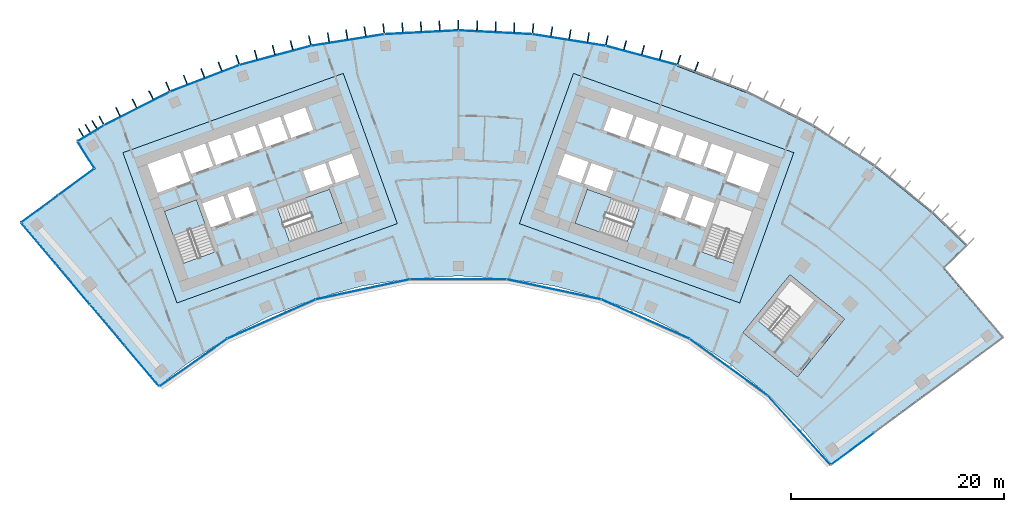
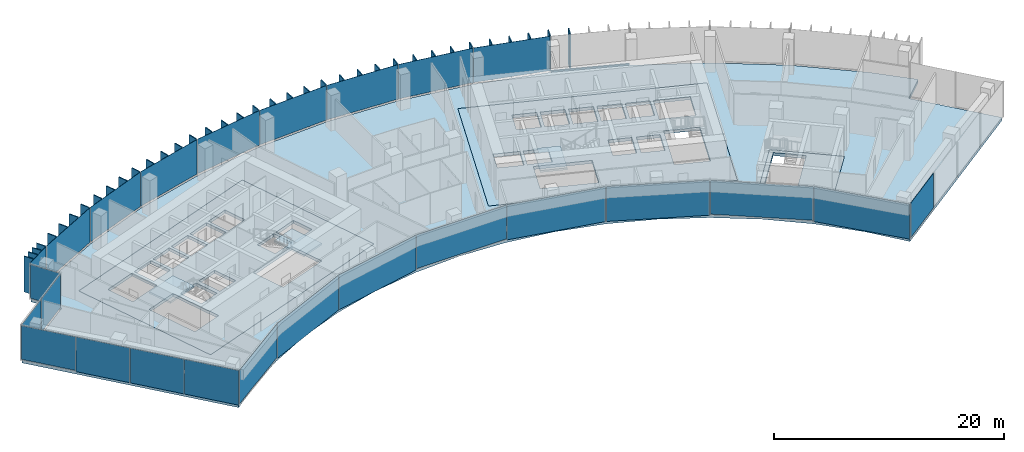
# One storey, part 10 of 19: 62 plates, 7 slabs, 1 member, 9 elements without a shape of their own.
"""IFC4 building model written with IfcOpenShell, lengths in metres."""

from ifc_helpers import new_model, si_unit, direction, frame, origin, origin_2d, place, context, subcontext, project, spatial, polyline, rectangle, outline, extrude, material, layer, layer_set, material_profile, profile_set, type_object, element, aggregate, save


model = new_model("IFC4")

# Units and contexts
model_context = context("Model", 3, precision=1e-05, world=origin(), true_north=direction((0.0, 1.0)))
body_context = subcontext(model_context, "Body", "Model", "MODEL_VIEW")
ifc_project = project(units=[si_unit("LENGTHUNIT", "METRE"), si_unit("AREAUNIT", "SQUARE_METRE"), si_unit("VOLUMEUNIT", "CUBIC_METRE"), si_unit("PLANEANGLEUNIT", "RADIAN"), si_unit("MASSUNIT", "GRAM", prefix="KILO")], contexts=[model_context])

# Site, building, storey
site_placement = place(None, origin())
site = spatial("IfcSite", under=ifc_project, at=site_placement, CompositionType="ELEMENT")
building_placement = place(site_placement, origin())
building = spatial("IfcBuilding", under=site, at=building_placement, Name="Stone Belt Terrace Tower", CompositionType="ELEMENT")
storey_placement = place(building_placement, frame((0.0, 0.0, 246.60009765625)))
storey = spatial("IfcBuildingStorey", under=building, at=storey_placement, Name="L60", CompositionType="ELEMENT", Elevation=246.60009765625)

# Curtain wall, member, plates
ifc_material_1 = material(Name="Aluminium 6063-T6 anodised frame", Category="aluminium")
ifc_layer_1 = layer(ifc_material_1, 0.14990234375)
ifc_layer_set_1 = layer_set([ifc_layer_1], Name="CW-A unitised convex-face curtain wall")
curtain_wall_type_1 = type_object("IfcCurtainWallType", Name="CW-A unitised convex-face curtain wall", PredefinedType="NOTDEFINED", material=ifc_layer_set_1)
curtain_wall_1_placement = place(storey_placement, origin())
curtain_wall_1 = element("IfcCurtainWall", 1, at=curtain_wall_1_placement, inside=storey, type_object=curtain_wall_type_1, Name="CW-A convex face L60", PredefinedType="NOTDEFINED")
ifc_material_profile = material_profile(ifc_material_1, rectangle(XDim=0.14990234375, YDim=0.139892578125, at=origin_2d()), Name="Aluminium 6063-T6 150x140")
ifc_profile_set = profile_set([ifc_material_profile], Name="Aluminium 6063-T6 anodised frame")
member_type = type_object("IfcMemberType", Name="CW-A transom 140 x 150", PredefinedType="USERDEFINED", material=ifc_profile_set)
member_placement = place(storey_placement, frame((27.046875, 60.83154296875, 0.06982421875), z_axis=(-0.933585210269, 0.358355487146, 0.0), x_axis=(-0.358355487146, -0.933585210269, 0.0)))
member = element("IfcMember", 2, at=member_placement, type_object=member_type, Name="CW-A transom 5.1", ObjectType="TRANSOM", PredefinedType="USERDEFINED", context=body_context, shape_type="SweptSolid", body=[
    extrude(rectangle(XDim=0.14990234375, YDim=0.139892578125, at=origin_2d()), origin(), (0.0, 0.0, 1.0), 6.900634765625),
])
ifc_material_2 = material(Name="Clear double glazed unit")
ifc_layer_2 = layer(ifc_material_2, 0.031982421875)
ifc_layer_set_2 = layer_set([ifc_layer_2], Name="CW-A glass panel 32")
plate_type_1 = type_object("IfcPlateType", Name="CW-A glass panel 32", PredefinedType="CURTAIN_PANEL", material=ifc_layer_set_2)
plate_1_placement = place(storey_placement, frame((17.207275390625, 64.218505859375, 0.14013671875), z_axis=(0.0, 0.0, 1.0), x_axis=(-0.965925826289, 0.258819045103, 0.0)))
plate_1 = element("IfcPlate", 3, at=plate_1_placement, type_object=plate_type_1, Name="CW-A panel 6.1", PredefinedType="CURTAIN_PANEL", context=body_context, shape_type="SweptSolid", body=[
    extrude(rectangle(XDim=6.90087890625, YDim=0.031982421875, at=origin_2d()), origin(), (0.0, 0.0, 1.0), 3.659912109375),
])
plate_2_placement = place(storey_placement, frame((10.400390625, 65.665283203125, 0.14013671875), z_axis=(0.0, 0.0, 1.0), x_axis=(-0.987688340595, 0.15643446504, 0.0)))
plate_2 = element("IfcPlate", 4, at=plate_2_placement, type_object=plate_type_1, Name="CW-A panel 7.1", PredefinedType="CURTAIN_PANEL", context=body_context, shape_type="SweptSolid", body=[
    extrude(rectangle(XDim=6.90087890625, YDim=0.031982421875, at=origin_2d()), origin(), (0.0, 0.0, 1.0), 3.659912109375),
])
plate_3_placement = place(storey_placement, frame((3.4794921875, 66.392822265625, 0.14013671875), z_axis=(0.0, 0.0, 1.0), x_axis=(-0.998629534755, 0.052335956243, 0.0)))
plate_3 = element("IfcPlate", 5, at=plate_3_placement, type_object=plate_type_1, Name="CW-A panel 8.1", PredefinedType="CURTAIN_PANEL", context=body_context, shape_type="SweptSolid", body=[
    extrude(rectangle(XDim=6.90087890625, YDim=0.031982421875, at=origin_2d()), origin(), (0.0, 0.0, 1.0), 3.659912109375),
])
plate_4_placement = place(storey_placement, frame((-3.4794921875, 66.392822265625, 0.14013671875), z_axis=(0.0, 0.0, 1.0), x_axis=(-0.998629534755, -0.052335956243, 0.0)))
plate_4 = element("IfcPlate", 6, at=plate_4_placement, type_object=plate_type_1, Name="CW-A panel 9.1", PredefinedType="CURTAIN_PANEL", context=body_context, shape_type="SweptSolid", body=[
    extrude(rectangle(XDim=6.90087890625, YDim=0.031982421875, at=origin_2d()), origin(), (0.0, 0.0, 1.0), 3.659912109375),
])
plate_5_placement = place(storey_placement, frame((-10.400390625, 65.665283203125, 0.14013671875), z_axis=(0.0, 0.0, 1.0), x_axis=(-0.987688340595, -0.15643446504, 0.0)))
plate_5 = element("IfcPlate", 7, at=plate_5_placement, type_object=plate_type_1, Name="CW-A panel 10.1", PredefinedType="CURTAIN_PANEL", context=body_context, shape_type="SweptSolid", body=[
    extrude(rectangle(XDim=6.90087890625, YDim=0.031982421875, at=origin_2d()), origin(), (0.0, 0.0, 1.0), 3.659912109375),
])
plate_6_placement = place(storey_placement, frame((-17.207275390625, 64.218505859375, 0.14013671875), z_axis=(0.0, 0.0, 1.0), x_axis=(-0.965925826289, -0.258819045103, 0.0)))
plate_6 = element("IfcPlate", 8, at=plate_6_placement, type_object=plate_type_1, Name="CW-A panel 11.1", PredefinedType="CURTAIN_PANEL", context=body_context, shape_type="SweptSolid", body=[
    extrude(rectangle(XDim=6.90087890625, YDim=0.031982421875, at=origin_2d()), origin(), (0.0, 0.0, 1.0), 3.659912109375),
])
plate_7_placement = place(storey_placement, frame((-23.82568359375, 62.068115234375, 0.14013671875), z_axis=(0.0, 0.0, 1.0), x_axis=(-0.933580426497, -0.358367949545, 0.0)))
plate_7 = element("IfcPlate", 9, at=plate_7_placement, type_object=plate_type_1, Name="CW-A panel 12.1", PredefinedType="CURTAIN_PANEL", context=body_context, shape_type="SweptSolid", body=[
    extrude(rectangle(XDim=6.90087890625, YDim=0.031982421875, at=origin_2d()), origin(), (0.0, 0.0, 1.0), 3.659912109375),
])
plate_8_placement = place(storey_placement, frame((-30.18310546875, 59.237548828125, 0.14013671875), z_axis=(0.0, 0.0, 1.0), x_axis=(-0.891006524188, -0.45399049974, 0.0)))
plate_8 = element("IfcPlate", 10, at=plate_8_placement, type_object=plate_type_1, Name="CW-A panel 13.1", PredefinedType="CURTAIN_PANEL", context=body_context, shape_type="SweptSolid", body=[
    extrude(rectangle(XDim=6.900634765625, YDim=0.031982421875, at=origin_2d()), origin(), (0.0, 0.0, 1.0), 3.659912109375),
])
plate_9_placement = place(storey_placement, frame((-34.521728515625, 56.907470703125, 0.14013671875), z_axis=(0.0, 0.0, 1.0), x_axis=(-0.855106913292, -0.51845170155, 0.0)))
plate_9 = element("IfcPlate", 11, at=plate_9_placement, type_object=plate_type_1, Name="CW-A panel 14.1", PredefinedType="CURTAIN_PANEL", context=body_context, shape_type="SweptSolid", body=[
    extrude(rectangle(XDim=2.823486328125, YDim=0.031982421875, at=origin_2d()), origin(), (0.0, 0.0, 1.0), 3.659912109375),
])
aggregate(curtain_wall_1, [member, plate_1, plate_2, plate_3, plate_4, plate_5, plate_6, plate_7, plate_8, plate_9])

# Curtain wall, plates
ifc_layer_3 = layer(ifc_material_1, 0.14990234375)
ifc_layer_set_3 = layer_set([ifc_layer_3], Name="CW-B unitised concave-face curtain wall")
curtain_wall_type_2 = type_object("IfcCurtainWallType", Name="CW-B unitised concave-face curtain wall", PredefinedType="NOTDEFINED", material=ifc_layer_set_3)
curtain_wall_2_placement = place(storey_placement, origin())
curtain_wall_2 = element("IfcCurtainWall", 12, at=curtain_wall_2_placement, inside=storey, type_object=curtain_wall_type_2, Name="CW-B concave face L60", PredefinedType="NOTDEFINED")
ifc_layer_4 = layer(ifc_material_2, 0.030029296875)
ifc_layer_set_4 = layer_set([ifc_layer_4], Name="CW-B glass panel 30")
plate_type_2 = type_object("IfcPlateType", Name="CW-B glass panel 30", PredefinedType="CURTAIN_PANEL", material=ifc_layer_set_4)
plate_10_placement = place(storey_placement, frame((-24.8896484375, 35.373291015625, 0.119873046875), z_axis=(0.0, 0.0, 1.0), x_axis=(0.818093414014, 0.575085355357, 0.0)))
plate_10 = element("IfcPlate", 13, at=plate_10_placement, type_object=plate_type_2, Name="CW-B panel 1.1", PredefinedType="CURTAIN_PANEL", context=body_context, shape_type="SweptSolid", body=[
    extrude(rectangle(XDim=7.702392578125, YDim=0.030029296875, at=origin_2d()), origin(), (0.0, 0.0, 1.0), 3.56005859375),
])
plate_11_placement = place(storey_placement, frame((-17.566162109375, 39.452880859375, 0.0), z_axis=(0.0, 0.0, 1.0), x_axis=(0.913545457643, 0.406736643076, 0.0)))
plate_11 = element("IfcPlate", 14, at=plate_11_placement, type_object=plate_type_2, Name="CW-B panel 2.1", PredefinedType="CURTAIN_PANEL", context=body_context, shape_type="SweptSolid", body=[
    extrude(rectangle(XDim=9.013916015625, YDim=0.030029296875, at=origin_2d()), origin(), (0.0, 0.0, 1.0), 3.679931640625),
])
plate_12_placement = place(storey_placement, frame((-8.97900390625, 42.242919921875, 0.0), z_axis=(0.0, 0.0, 1.0), x_axis=(0.978147600734, 0.207911690818, 0.0)))
plate_12 = element("IfcPlate", 15, at=plate_12_placement, type_object=plate_type_2, Name="CW-B panel 3.1", PredefinedType="CURTAIN_PANEL", context=body_context, shape_type="SweptSolid", body=[
    extrude(rectangle(XDim=9.0126953125, YDim=0.030029296875, at=origin_2d()), origin(), (0.0, 0.0, 1.0), 3.679931640625),
])
plate_13_placement = place(storey_placement, frame((0.0, 43.186767578125, 0.119873046875), z_axis=(0.0, 0.0, 1.0), x_axis=(1.0, 0.0, 0.0)))
plate_13 = element("IfcPlate", 16, at=plate_13_placement, type_object=plate_type_2, Name="CW-B panel 4.1", PredefinedType="CURTAIN_PANEL", context=body_context, shape_type="SweptSolid", body=[
    extrude(rectangle(XDim=9.0126953125, YDim=0.030029296875, at=origin_2d()), origin(), (0.0, 0.0, 1.0), 3.56005859375),
])
plate_14_placement = place(storey_placement, frame((8.97900390625, 42.242919921875, 0.0), z_axis=(0.0, 0.0, 1.0), x_axis=(0.978147600734, -0.207911690818, 0.0)))
plate_14 = element("IfcPlate", 17, at=plate_14_placement, type_object=plate_type_2, Name="CW-B panel 5.1", PredefinedType="CURTAIN_PANEL", context=body_context, shape_type="SweptSolid", body=[
    extrude(rectangle(XDim=9.0126953125, YDim=0.030029296875, at=origin_2d()), origin(), (0.0, 0.0, 1.0), 3.679931640625),
])
plate_15_placement = place(storey_placement, frame((17.565673828125, 39.453125, 0.0), z_axis=(0.0, 0.0, 1.0), x_axis=(0.913545457643, -0.406736643076, 0.0)))
plate_15 = element("IfcPlate", 18, at=plate_15_placement, type_object=plate_type_2, Name="CW-B panel 6.1", PredefinedType="CURTAIN_PANEL", context=body_context, shape_type="SweptSolid", body=[
    extrude(rectangle(XDim=9.0126953125, YDim=0.030029296875, at=origin_2d()), origin(), (0.0, 0.0, 1.0), 3.679931640625),
])
plate_16_placement = place(storey_placement, frame((25.384521484375, 34.938720703125, 0.119873046875), z_axis=(0.0, 0.0, 1.0), x_axis=(0.809016994375, -0.587785252292, 0.0)))
plate_16 = element("IfcPlate", 19, at=plate_16_placement, type_object=plate_type_2, Name="CW-B panel 7.1", PredefinedType="CURTAIN_PANEL", context=body_context, shape_type="SweptSolid", body=[
    extrude(rectangle(XDim=9.01318359375, YDim=0.030029296875, at=origin_2d()), origin(), (0.0, 0.0, 1.0), 3.56005859375),
])
plate_17_placement = place(storey_placement, frame((32.00537109375, 29.02197265625, 0.0), z_axis=(0.0, 0.0, 1.0), x_axis=(0.672072775041, -0.740485101166, 0.0)))
plate_17 = element("IfcPlate", 20, at=plate_17_placement, type_object=plate_type_2, Name="CW-B panel 8.1", PredefinedType="CURTAIN_PANEL", context=body_context, shape_type="SweptSolid", body=[
    extrude(rectangle(XDim=8.70947265625, YDim=0.030029296875, at=origin_2d()), origin(), (0.0, 0.0, 1.0), 3.679931640625),
])
aggregate(curtain_wall_2, [plate_10, plate_11, plate_12, plate_13, plate_14, plate_15, plate_16, plate_17])

# Curtain wall, plate
ifc_layer_5 = layer(ifc_material_1, 0.14990234375)
ifc_layer_set_5 = layer_set([ifc_layer_5], Name="CW-C stick curtain wall, horn ends and notches")
curtain_wall_type_3 = type_object("IfcCurtainWallType", Name="CW-C stick curtain wall, horn ends and notches", PredefinedType="NOTDEFINED", material=ifc_layer_set_5)
curtain_wall_3_placement = place(storey_placement, origin())
curtain_wall_3 = element("IfcCurtainWall", 21, at=curtain_wall_3_placement, inside=storey, type_object=curtain_wall_type_3, Name="CW-C end face L60", PredefinedType="NOTDEFINED")
ifc_layer_6 = layer(ifc_material_2, 0.028076171875)
ifc_layer_set_6 = layer_set([ifc_layer_6], Name="CW-C glass panel 28")
plate_type_3 = type_object("IfcPlateType", Name="CW-C glass panel 28", PredefinedType="CURTAIN_PANEL", material=ifc_layer_set_6)
plate_18_placement = place(storey_placement, frame((37.033447265625, 27.2646484375, 0.1201171875), z_axis=(0.0, 0.0, 1.0), x_axis=(0.804329077539, 0.594184091865, 0.0)))
plate_18 = element("IfcPlate", 22, at=plate_18_placement, type_object=plate_type_3, Name="CW-C panel 1.1", PredefinedType="CURTAIN_PANEL", context=body_context, shape_type="SweptSolid", body=[
    extrude(rectangle(XDim=4.96533203125, YDim=0.028076171875, at=origin_2d()), origin(), (0.0, 0.0, 1.0), 3.679931640625),
])
aggregate(curtain_wall_3, [plate_18])

curtain_wall_4_placement = place(storey_placement, origin())
curtain_wall_4 = element("IfcCurtainWall", 23, at=curtain_wall_4_placement, inside=storey, type_object=curtain_wall_type_3, Name="CW-C notch face L60", PredefinedType="NOTDEFINED")
plate_19_placement = place(storey_placement, frame((-34.985595703125, 54.86767578125, 0.119873046875), z_axis=(0.0, 0.0, 1.0), x_axis=(0.536665081869, -0.843795348353, 0.0)))
plate_19 = element("IfcPlate", 24, at=plate_19_placement, type_object=plate_type_3, Name="CW-C panel 1.1", PredefinedType="CURTAIN_PANEL", context=body_context, shape_type="SweptSolid", body=[
    extrude(rectangle(XDim=2.85888671875, YDim=0.028076171875, at=origin_2d()), origin(), (0.0, 0.0, 1.0), 3.56005859375),
])
aggregate(curtain_wall_4, [plate_19])

# Curtain wall, plates
curtain_wall_5_placement = place(storey_placement, origin())
curtain_wall_5 = element("IfcCurtainWall", 25, at=curtain_wall_5_placement, inside=storey, type_object=curtain_wall_type_3, Name="CW-C notch face L60", PredefinedType="NOTDEFINED")
plate_20_placement = place(storey_placement, frame((-35.897705078125, 52.3359375, 0.119873046875), z_axis=(0.0, 0.0, 1.0), x_axis=(-0.805576193691, -0.592492190799, 0.0)))
plate_20 = element("IfcPlate", 26, at=plate_20_placement, type_object=plate_type_3, Name="CW-C panel 1.1", PredefinedType="CURTAIN_PANEL", context=body_context, shape_type="SweptSolid", body=[
    extrude(rectangle(XDim=4.12060546875, YDim=0.028076171875, at=origin_2d()), origin(), (0.0, 0.0, 1.0), 3.56005859375),
])
plate_21_placement = place(storey_placement, frame((-39.3251953125, 49.815185546875, 0.0), z_axis=(0.0, 0.0, 1.0), x_axis=(-0.805576193691, -0.592492190799, 0.0)))
plate_21 = element("IfcPlate", 27, at=plate_21_placement, type_object=plate_type_3, Name="CW-C panel 2.1", PredefinedType="CURTAIN_PANEL", context=body_context, shape_type="SweptSolid", body=[
    extrude(rectangle(XDim=4.268798828125, YDim=0.028076171875, at=origin_2d()), origin(), (0.0, 0.0, 1.0), 3.679931640625),
])
aggregate(curtain_wall_5, [plate_20, plate_21])

curtain_wall_6_placement = place(storey_placement, origin())
curtain_wall_6 = element("IfcCurtainWall", 28, at=curtain_wall_6_placement, inside=storey, type_object=curtain_wall_type_3, Name="CW-C end face L60", PredefinedType="NOTDEFINED")
plate_22_placement = place(storey_placement, frame((-39.45068359375, 46.548828125, 0.119873046875), z_axis=(0.0, 0.0, 1.0), x_axis=(0.645607243812, -0.763669618839, 0.0)))
plate_22 = element("IfcPlate", 29, at=plate_22_placement, type_object=plate_type_3, Name="CW-C panel 1.1", PredefinedType="CURTAIN_PANEL", context=body_context, shape_type="SweptSolid", body=[
    extrude(rectangle(XDim=4.974853515625, YDim=0.028076171875, at=origin_2d()), origin(), (0.0, 0.0, 1.0), 3.56005859375),
])
plate_23_placement = place(storey_placement, frame((-36.211181640625, 42.717041015625, 0.0), z_axis=(0.0, 0.0, 1.0), x_axis=(0.645607243812, -0.763669618839, 0.0)))
plate_23 = element("IfcPlate", 30, at=plate_23_placement, type_object=plate_type_3, Name="CW-C panel 2.1", PredefinedType="CURTAIN_PANEL", context=body_context, shape_type="SweptSolid", body=[
    extrude(rectangle(XDim=4.93994140625, YDim=0.028076171875, at=origin_2d()), origin(), (0.0, 0.0, 1.0), 3.679931640625),
])
plate_24_placement = place(storey_placement, frame((-32.983154296875, 38.898681640625, 0.0), z_axis=(0.0, 0.0, 1.0), x_axis=(0.645607243812, -0.763669618839, 0.0)))
plate_24 = element("IfcPlate", 31, at=plate_24_placement, type_object=plate_type_3, Name="CW-C panel 3.1", PredefinedType="CURTAIN_PANEL", context=body_context, shape_type="SweptSolid", body=[
    extrude(rectangle(XDim=4.93994140625, YDim=0.028076171875, at=origin_2d()), origin(), (0.0, 0.0, 1.0), 3.679931640625),
])
plate_25_placement = place(storey_placement, frame((-29.746826171875, 35.070556640625, 0.0), z_axis=(0.0, 0.0, 1.0), x_axis=(0.645607243812, -0.763669618839, 0.0)))
plate_25 = element("IfcPlate", 32, at=plate_25_placement, type_object=plate_type_3, Name="CW-C panel 4.1", PredefinedType="CURTAIN_PANEL", context=body_context, shape_type="SweptSolid", body=[
    extrude(rectangle(XDim=4.9658203125, YDim=0.028076171875, at=origin_2d()), origin(), (0.0, 0.0, 1.0), 3.679931640625),
])
aggregate(curtain_wall_6, [plate_22, plate_23, plate_24, plate_25])

# Slabs
ifc_material_3 = material(Name="Concrete B40", Category="concrete")
ifc_layer_7 = layer(ifc_material_3, 0.320068359375)
ifc_layer_set_7 = layer_set([ifc_layer_7], Name="Core floor slab 320")
slab_type_1 = type_object("IfcSlabType", Name="Core floor slab 320", PredefinedType="FLOOR", material=ifc_layer_set_7)
slab_1_placement = place(storey_placement, frame((0.0, 0.0, -0.320068359375)))
element("IfcSlab", 33, at=slab_1_placement, inside=storey, type_object=slab_type_1, Name="Core A floor L60", PredefinedType="FLOOR", context=body_context, shape_type="SweptSolid", body=[
    extrude(outline(polyline([(-26.43505859375, 40.968994140625), (-5.735107421875, 48.4189453125), (-10.81396484375, 62.531982421875), (-31.513916015625, 55.0830078125), (-26.43505859375, 40.968994140625)]), holes=[polyline([(-24.60791015625, 50.659912109375), (-22.847900390625, 45.76806640625), (-25.85888671875, 44.68408203125), (-27.618896484375, 49.575927734375), (-24.60791015625, 50.659912109375)]), polyline([(-23.25, 48.06689453125), (-24.06298828125, 50.324951171875), (-22.0869140625, 51.035888671875), (-21.27392578125, 48.778076171875), (-23.25, 48.06689453125)]), polyline([(-20.89794921875, 48.9130859375), (-21.7109375, 51.1708984375), (-19.735107421875, 51.883056640625), (-18.922119140625, 49.6240234375), (-20.89794921875, 48.9130859375)]), polyline([(-28.24609375, 51.31689453125), (-29.2109375, 53.9990234375), (-26.153076171875, 55.09912109375), (-25.18798828125, 52.41796875), (-28.24609375, 51.31689453125)]), polyline([(-23.801025390625, 55.946044921875), (-23.0390625, 53.8291015625), (-25.10888671875, 53.083984375), (-25.87109375, 55.200927734375), (-23.801025390625, 55.946044921875)]), polyline([(-21.447998046875, 56.7919921875), (-20.68603515625, 54.675048828125), (-22.756103515625, 53.929931640625), (-23.51806640625, 56.047119140625), (-21.447998046875, 56.7919921875)]), polyline([(-10.955078125, 48.452880859375), (-15.846923828125, 46.69189453125), (-16.998046875, 49.89208984375), (-12.10595703125, 51.652099609375), (-10.955078125, 48.452880859375)]), polyline([(-11.847900390625, 52.116943359375), (-11.864990234375, 52.1640625), (-13.887939453125, 51.43603515625), (-14.58203125, 53.364990234375), (-12.511962890625, 54.110107421875), (-11.801025390625, 52.134033203125), (-11.847900390625, 52.116943359375)]), polyline([(-9.30810546875, 53.031005859375), (-11.51904296875, 52.235107421875), (-12.22998046875, 54.2109375), (-10.01904296875, 55.007080078125), (-9.30810546875, 53.031005859375)]), polyline([(-21.166015625, 56.89404296875), (-19.095947265625, 57.638916015625), (-18.333984375, 55.52197265625), (-20.404052734375, 54.777099609375), (-21.166015625, 56.89404296875)]), polyline([(-16.743896484375, 58.485107421875), (-15.98193359375, 56.367919921875), (-18.052001953125, 55.623046875), (-18.81396484375, 57.739990234375), (-16.743896484375, 58.485107421875)]), polyline([(-14.39111328125, 59.33203125), (-13.6298828125, 57.215087890625), (-15.699951171875, 56.469970703125), (-16.4609375, 58.5869140625), (-14.39111328125, 59.33203125)])]), origin(), (0.0, 0.0, 1.0), 0.320068359375),
])
slab_2_placement = place(storey_placement, frame((0.0, 0.0, -0.320068359375)))
element("IfcSlab", 34, at=slab_2_placement, inside=storey, type_object=slab_type_1, Name="Core B floor L60", PredefinedType="FLOOR", context=body_context, shape_type="SweptSolid", body=[
    extrude(outline(polyline([(26.43505859375, 40.968994140625), (31.513916015625, 55.0830078125), (10.81396484375, 62.531982421875), (5.735107421875, 48.4189453125), (26.43505859375, 40.968994140625)]), holes=[polyline([(12.10595703125, 51.652099609375), (16.998046875, 49.89208984375), (15.846923828125, 46.69189453125), (10.955078125, 48.452880859375), (12.10595703125, 51.652099609375)]), polyline([(12.511962890625, 54.110107421875), (14.58203125, 53.364990234375), (13.887939453125, 51.43603515625), (11.864990234375, 52.1640625), (11.847900390625, 52.116943359375), (11.801025390625, 52.134033203125), (12.511962890625, 54.110107421875)]), polyline([(9.30810546875, 53.031005859375), (10.01904296875, 55.007080078125), (12.22998046875, 54.2109375), (11.51904296875, 52.235107421875), (9.30810546875, 53.031005859375)]), polyline([(18.333984375, 55.52197265625), (19.095947265625, 57.638916015625), (21.166015625, 56.89404296875), (20.404052734375, 54.777099609375), (18.333984375, 55.52197265625)]), polyline([(16.743896484375, 58.485107421875), (18.81396484375, 57.739990234375), (18.052001953125, 55.623046875), (15.98193359375, 56.367919921875), (16.743896484375, 58.485107421875)]), polyline([(14.39111328125, 59.33203125), (16.4609375, 58.5869140625), (15.699951171875, 56.469970703125), (13.6298828125, 57.215087890625), (14.39111328125, 59.33203125)]), polyline([(27.618896484375, 49.575927734375), (25.85888671875, 44.68408203125), (22.847900390625, 45.76806640625), (24.60791015625, 50.659912109375), (27.618896484375, 49.575927734375)]), polyline([(23.25, 48.06689453125), (21.27392578125, 48.778076171875), (22.0869140625, 51.035888671875), (24.06298828125, 50.324951171875), (23.25, 48.06689453125)]), polyline([(20.89794921875, 48.9130859375), (18.922119140625, 49.6240234375), (19.735107421875, 51.883056640625), (21.7109375, 51.1708984375), (20.89794921875, 48.9130859375)]), polyline([(26.153076171875, 55.09912109375), (29.2109375, 53.9990234375), (28.24609375, 51.31689453125), (25.18798828125, 52.41796875), (26.153076171875, 55.09912109375)]), polyline([(23.801025390625, 55.946044921875), (25.87109375, 55.200927734375), (25.10888671875, 53.083984375), (23.0390625, 53.8291015625), (23.801025390625, 55.946044921875)]), polyline([(21.447998046875, 56.7919921875), (23.51806640625, 56.047119140625), (22.756103515625, 53.929931640625), (20.68603515625, 54.675048828125), (21.447998046875, 56.7919921875)])]), origin(), (0.0, 0.0, 1.0), 0.320068359375),
])
slab_3_placement = place(storey_placement, frame((0.0, 0.0, -0.320068359375)))
element("IfcSlab", 35, at=slab_3_placement, inside=storey, type_object=slab_type_1, Name="Exit stair ST3B floor L60", PredefinedType="FLOOR", context=body_context, shape_type="SweptSolid", body=[
    extrude(outline(polyline([(26.741943359375, 38.18408203125), (31.866943359375, 34.02392578125), (36.278076171875, 39.458984375), (31.154052734375, 43.618896484375), (26.741943359375, 38.18408203125)]), holes=[polyline([(30.407958984375, 37.462890625), (28.156005859375, 39.291015625), (31.2119140625, 43.055908203125), (33.464111328125, 41.22802734375), (30.407958984375, 37.462890625)])]), origin(), (0.0, 0.0, 1.0), 0.320068359375),
])
ifc_layer_8 = layer(ifc_material_3, 0.320068359375)
ifc_layer_set_8 = layer_set([ifc_layer_8], Name="Floor slab 320 B40")
slab_type_2 = type_object("IfcSlabType", Name="Floor slab 320 B40", PredefinedType="FLOOR", material=ifc_layer_set_8)
slab_4_placement = place(storey_placement, frame((0.0, 0.0, -0.320068359375)))
element("IfcSlab", 36, at=slab_4_placement, inside=storey, type_object=slab_type_2, Name="Floor slab L60", PredefinedType="FLOOR", context=body_context, shape_type="SweptSolid", body=[
    extrude(outline(polyline([(-35.688232421875, 56.1123046875), (-33.25, 57.5908203125), (-27.048095703125, 60.750732421875), (-20.549560546875, 63.245361328125), (-13.826171875, 65.046875), (-6.951171875, 66.1357421875), (0.0, 66.5), (6.951171875, 66.1357421875), (13.826171875, 65.046875), (20.549560546875, 63.245361328125), (27.048095703125, 60.750732421875), (33.25, 57.5908203125), (39.087646484375, 53.799560546875), (44.497314453125, 49.419189453125), (47.66748046875, 46.368896484375), (45.51708984375, 44.277099609375), (51.074951171875, 37.730712890625), (34.98828125, 25.846923828125), (32.326904296875, 29.107177734375), (29.107177734375, 32.326904296875), (25.568603515625, 35.192138671875), (21.75, 37.672119140625), (17.693115234375, 39.7392578125), (13.442138671875, 41.37109375), (9.044189453125, 42.54931640625), (4.547119140625, 43.26171875), (0.0, 43.5), (-4.547119140625, 43.26171875), (-9.044189453125, 42.54931640625), (-13.442138671875, 41.37109375), (-17.693115234375, 39.7392578125), (-21.75, 37.672119140625), (-25.568603515625, 35.192138671875), (-28.083984375, 33.219482421875), (-40.99609375, 48.492919921875), (-34.078125, 53.5810546875), (-35.688232421875, 56.1123046875)]), holes=[polyline([(-31.51416015625, 55.082763671875), (-26.434814453125, 40.968994140625), (-5.734619140625, 48.418701171875), (-10.81396484375, 62.532470703125), (-31.51416015625, 55.082763671875)]), polyline([(31.51416015625, 55.082763671875), (10.81396484375, 62.532470703125), (5.734619140625, 48.418701171875), (26.434814453125, 40.968994140625), (31.51416015625, 55.082763671875)]), polyline([(36.2783203125, 39.459228515625), (31.15380859375, 43.61865234375), (26.742431640625, 38.18359375), (31.86669921875, 34.024169921875), (36.2783203125, 39.459228515625)])]), origin(), (0.0, 0.0, 1.0), 0.320068359375),
])

# Stair, slab
stair_type = type_object("IfcStairType", Name="Exit stair 1500", PredefinedType="HALF_TURN_STAIR", material=ifc_material_3)
stair_1_placement = place(storey_placement, origin())
stair_1 = element("IfcStair", 37, at=stair_1_placement, inside=storey, type_object=stair_type, Name="L60 Exit stair 1 core A", PredefinedType="HALF_TURN_STAIR")
ifc_layer_9 = layer(ifc_material_3, 0.199951171875)
ifc_layer_set_9 = layer_set([ifc_layer_9], Name="Stair landing 200")
slab_type_3 = type_object("IfcSlabType", Name="Stair landing 200", PredefinedType="LANDING", material=ifc_layer_set_9)
slab_5_placement = place(storey_placement, frame((0.0, 0.0, 1.699951171875)))
slab_5 = element("IfcSlab", 38, at=slab_5_placement, type_object=slab_type_3, Name="ST1A landing 1", PredefinedType="LANDING", context=body_context, shape_type="SweptSolid", body=[
    extrude(outline(polyline([(-23.79541015625, 48.40087890625), (-24.6083984375, 50.659912109375), (-27.619384765625, 49.576171875), (-26.806396484375, 47.3173828125), (-23.79541015625, 48.40087890625)])), origin(), (0.0, 0.0, 1.0), 0.199951171875),
])
aggregate(stair_1, [slab_5])

stair_2_placement = place(storey_placement, origin())
stair_2 = element("IfcStair", 39, at=stair_2_placement, inside=storey, type_object=stair_type, Name="L60 Exit stair 2 core A", PredefinedType="HALF_TURN_STAIR")
slab_6_placement = place(storey_placement, frame((0.0, 0.0, 1.699951171875)))
slab_6 = element("IfcSlab", 40, at=slab_6_placement, type_object=slab_type_3, Name="ST2A landing 1", PredefinedType="LANDING", context=body_context, shape_type="SweptSolid", body=[
    extrude(outline(polyline([(-13.213623046875, 47.64013671875), (-10.95458984375, 48.453125), (-12.10595703125, 51.652099609375), (-14.36474609375, 50.839111328125), (-13.213623046875, 47.64013671875)])), origin(), (0.0, 0.0, 1.0), 0.199951171875),
])
aggregate(stair_2, [slab_6])

stair_3_placement = place(storey_placement, origin())
stair_3 = element("IfcStair", 41, at=stair_3_placement, inside=storey, type_object=stair_type, Name="L60 Exit stair 2 core B", PredefinedType="HALF_TURN_STAIR")
slab_7_placement = place(storey_placement, frame((0.0, 0.0, 1.699951171875)))
slab_7 = element("IfcSlab", 42, at=slab_7_placement, type_object=slab_type_3, Name="ST2B landing 1", PredefinedType="LANDING", context=body_context, shape_type="SweptSolid", body=[
    extrude(outline(polyline([(14.36474609375, 50.839111328125), (12.10595703125, 51.652099609375), (10.95458984375, 48.453125), (13.213623046875, 47.64013671875), (14.36474609375, 50.839111328125)])), origin(), (0.0, 0.0, 1.0), 0.199951171875),
])
aggregate(stair_3, [slab_7])

# Plates
ifc_material_4 = material(Name="Terracotta coloured glazed ceramic", Category="masonry")
ifc_layer_10 = layer(ifc_material_4, 0.10009765625)
ifc_layer_set_10 = layer_set([ifc_layer_10], Name="Terracotta fin 100 x 900")
plate_type_4 = type_object("IfcPlateType", Name="Terracotta fin 100 x 900", PredefinedType="SHEET", material=ifc_layer_set_10)
for number, where, z_axis, x_axis, name in (
    (43, (22.387451171875, 63.182373046875, 0.0), (0.0, 0.0, 1.0), (0.358367949545, 0.933580426497, 0.0), "FIN L60 5.4"),
    (44, (20.735107421875, 63.81591796875, 0.0), (0.0, 0.0, 1.0), (0.309016994375, 0.951056516295, 0.0), "FIN L60 6.1"),
    (45, (19.02587890625, 64.274658203125, 0.0), (0.0, 0.0, 1.0), (0.258819045103, 0.965925826289, 0.0), "FIN L60 6.2"),
    (46, (17.34326171875, 64.7255859375, 0.0), (0.0, 0.0, 1.0), (0.258819045103, 0.965925826289, 0.0), "FIN L60 6.3"),
    (47, (15.660400390625, 65.176513671875, 0.0), (0.0, 0.0, 1.0), (0.258819045103, 0.965925826289, 0.0), "FIN L60 6.4"),
    (48, (13.950927734375, 65.6337890625, 0.0), (0.0, 0.0, 1.0), (0.207911690818, 0.978147600734, 0.0), "FIN L60 7.1"),
    (49, (12.203125, 65.911376953125, 0.0), (0.0, 0.0, 1.0), (0.15643446504, 0.987688340595, 0.0), "FIN L60 7.2"),
    (50, (10.482421875, 66.183837890625, 0.0), (0.0, 0.0, 1.0), (0.15643446504, 0.987688340595, 0.0), "FIN L60 7.3"),
    (51, (8.76171875, 66.456298828125, 0.0), (0.0, 0.0, 1.0), (0.15643446504, 0.987688340595, 0.0), "FIN L60 7.4"),
    (52, (7.013916015625, 66.732421875, 0.0), (0.0, 0.0, 1.0), (0.104528463268, 0.994521895368, 0.0), "FIN L60 8.1"),
    (53, (5.246826171875, 66.825927734375, 0.0), (0.0, 0.0, 1.0), (0.052335956243, 0.998629534755, 0.0), "FIN L60 8.2"),
    (54, (3.507080078125, 66.9169921875, 0.0), (0.0, 0.0, 1.0), (0.052335956243, 0.998629534755, 0.0), "FIN L60 8.3"),
    (55, (1.767333984375, 67.00830078125, 0.0), (0.0, 0.0, 1.0), (0.052335956243, 0.998629534755, 0.0), "FIN L60 8.4"),
    (56, (0.0, 67.10009765625, 0.0), (0.0, 0.0, 1.0), (0.0, 1.0, 0.0), "FIN L60 9.1"),
    (57, (-1.767333984375, 67.00830078125, 0.0), (0.0, 0.0, 1.0), (-0.052335956243, 0.998629534755, 0.0), "FIN L60 9.2"),
    (58, (-3.507080078125, 66.9169921875, 0.0), (0.0, 0.0, 1.0), (-0.052335956243, 0.998629534755, 0.0), "FIN L60 9.3"),
    (59, (-5.246826171875, 66.825927734375, 0.0), (0.0, 0.0, 1.0), (-0.052335956243, 0.998629534755, 0.0), "FIN L60 9.4"),
    (60, (-7.013916015625, 66.732421875, 0.0), (0.0, 0.0, 1.0), (-0.104528463268, 0.994521895368, 0.0), "FIN L60 10.1"),
    (61, (-8.76171875, 66.456298828125, 0.0), (0.0, 0.0, 1.0), (-0.15643446504, 0.987688340595, 0.0), "FIN L60 10.2"),
    (62, (-10.482421875, 66.183837890625, 0.0), (0.0, 0.0, 1.0), (-0.15643446504, 0.987688340595, 0.0), "FIN L60 10.3"),
    (63, (-12.203125, 65.911376953125, 0.0), (0.0, 0.0, 1.0), (-0.15643446504, 0.987688340595, 0.0), "FIN L60 10.4"),
    (64, (-13.950927734375, 65.6337890625, 0.0), (0.0, 0.0, 1.0), (-0.207911690818, 0.978147600734, 0.0), "FIN L60 11.1"),
    (65, (-15.660400390625, 65.176513671875, 0.0), (0.0, 0.0, 1.0), (-0.258819045103, 0.965925826289, 0.0), "FIN L60 11.2"),
    (66, (-17.34326171875, 64.7255859375, 0.0), (0.0, 0.0, 1.0), (-0.258819045103, 0.965925826289, 0.0), "FIN L60 11.3"),
    (67, (-19.02587890625, 64.274658203125, 0.0), (0.0, 0.0, 1.0), (-0.258819045103, 0.965925826289, 0.0), "FIN L60 11.4"),
    (68, (-20.735107421875, 63.81591796875, 0.0), (0.0, 0.0, 1.0), (-0.309016994375, 0.951056516295, 0.0), "FIN L60 12.1"),
    (69, (-22.387451171875, 63.182373046875, 0.0), (0.0, 0.0, 1.0), (-0.358367949545, 0.933580426497, 0.0), "FIN L60 12.2"),
    (70, (-24.013916015625, 62.55810546875, 0.0), (0.0, 0.0, 1.0), (-0.358367949545, 0.933580426497, 0.0), "FIN L60 12.3"),
    (71, (-25.64013671875, 61.933837890625, 0.0), (0.0, 0.0, 1.0), (-0.358367949545, 0.933580426497, 0.0), "FIN L60 12.4"),
    (72, (-27.2919921875, 61.299072265625, 0.0), (0.0, 0.0, 1.0), (-0.406736643076, 0.913545457643, 0.0), "FIN L60 13.1"),
    (73, (-28.868896484375, 60.496337890625, 0.0), (0.0, 0.0, 1.0), (-0.45399049974, 0.891006524188, 0.0), "FIN L60 13.2"),
    (74, (-30.4208984375, 59.70556640625, 0.0), (0.0, 0.0, 1.0), (-0.45399049974, 0.891006524188, 0.0), "FIN L60 13.3"),
    (75, (-31.972900390625, 58.914794921875, 0.0), (0.0, 0.0, 1.0), (-0.45399049974, 0.891006524188, 0.0), "FIN L60 13.4"),
    (76, (-33.5419921875, 58.114990234375, 0.0), (0.0, 0.0, 1.0), (-0.486552313968, 0.873651444097, 0.0), "FIN L60 14.1"),
    (77, (-34.185302734375, 57.725341796875, 0.0), (0.0, 0.0, 1.0), (-0.51845170155, 0.855106913292, 0.0), "FIN L60 14.2"),
    (78, (-34.811767578125, 57.345458984375, 0.0), (0.0, 0.0, 1.0), (-0.51845170155, 0.855106913292, 0.0), "FIN L60 14.3"),
    (79, (-35.438232421875, 56.965576171875, 0.0), (0.0, 0.0, 1.0), (-0.51845170155, 0.855106913292, 0.0), "FIN L60 14.4"),
):
    element("IfcPlate", number, at=place(storey_placement, frame(where, z_axis=z_axis, x_axis=x_axis)), inside=storey, type_object=plate_type_4, Name=name, PredefinedType="SHEET", context=body_context, shape_type="SweptSolid", body=[
        extrude(rectangle(XDim=0.89990234375, YDim=0.10009765625, at=origin_2d()), origin(), (0.0, 0.0, 1.0), 3.800048828125),
    ])

save(model, "model.ifc")
